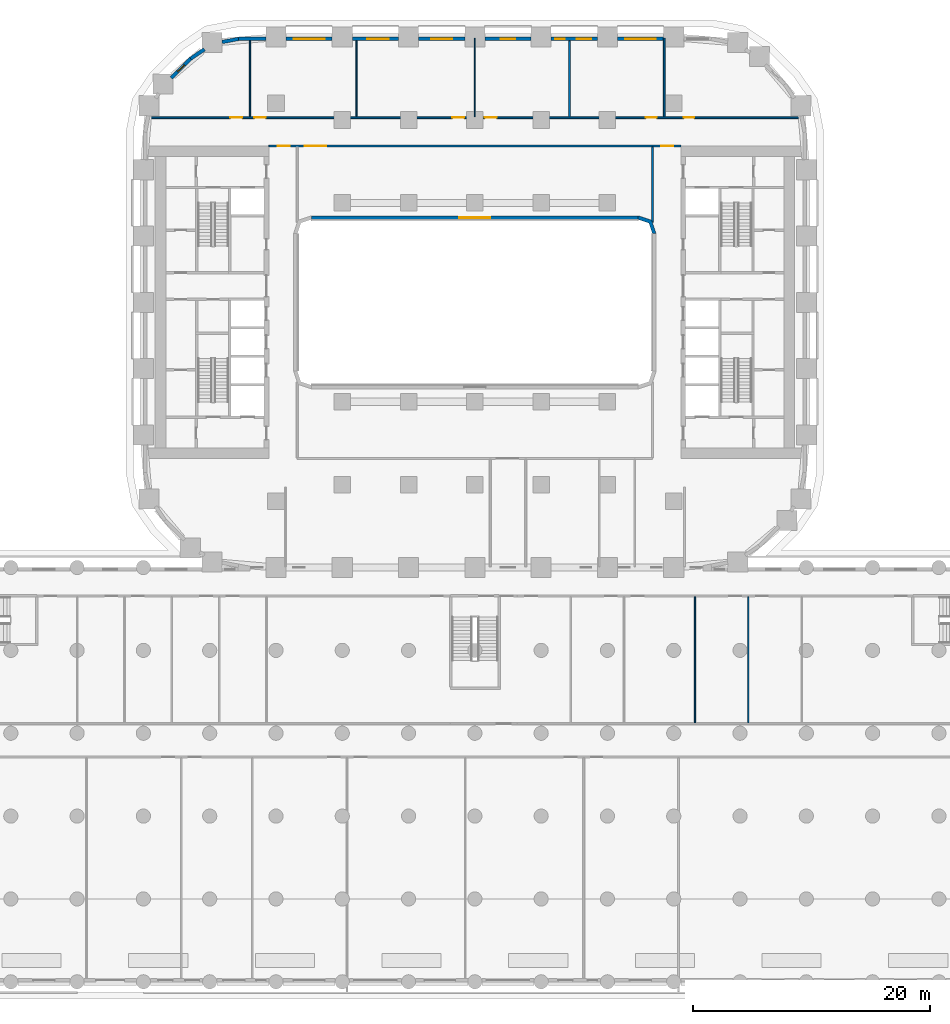
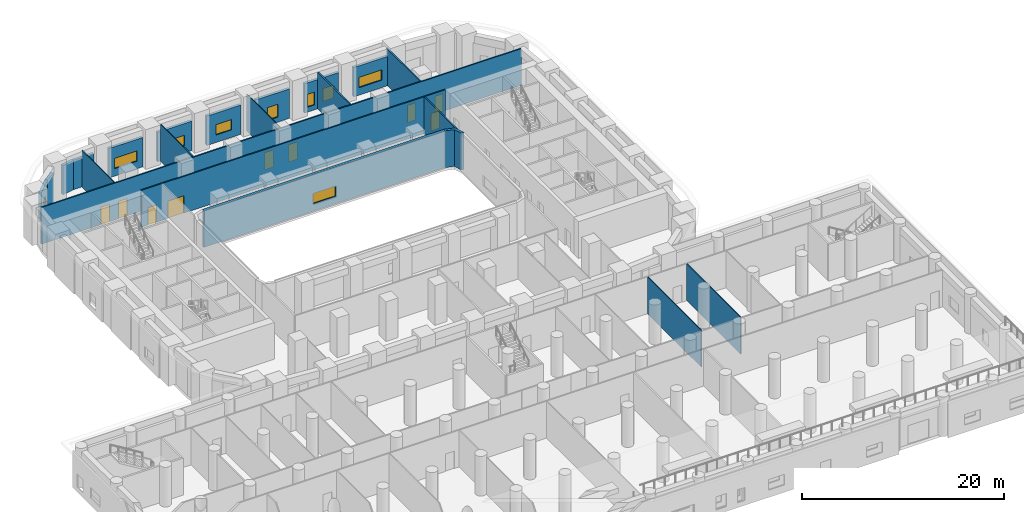
# One storey, part 13 of 27: 22 walls, 9 doors, 9 windows, 18 openings.
"""IFC4 building model written with IfcOpenShell, lengths in metres."""

from ifc_helpers import new_model, si_unit, direction, frame, frame_2d, origin, place, context, subcontext, project, spatial, polyline, rectangle, outline, extrude, material, layer, layer_set, type_object, element, fill, save


model = new_model("IFC4")

# Units and contexts
model_context = context("Model", 3, precision=1e-05, world=origin(), true_north=direction((0.0, 1.0)))
body_context = subcontext(model_context, "Body", "Model", "MODEL_VIEW")
ifc_project = project(units=[si_unit("LENGTHUNIT", "METRE"), si_unit("AREAUNIT", "SQUARE_METRE"), si_unit("VOLUMEUNIT", "CUBIC_METRE"), si_unit("PLANEANGLEUNIT", "RADIAN"), si_unit("MASSUNIT", "GRAM", prefix="KILO")], contexts=[model_context])

# Site, building, storey
site_placement = place(None, origin())
site = spatial("IfcSite", under=ifc_project, at=site_placement, CompositionType="ELEMENT")
building_placement = place(site_placement, origin())
building = spatial("IfcBuilding", under=site, at=building_placement, Name="Kiln Ring Residences", CompositionType="ELEMENT")
storey_placement = place(building_placement, frame((0.0, 0.0, 6.5)))
storey = spatial("IfcBuildingStorey", under=building, at=storey_placement, Name="L01", CompositionType="ELEMENT", Elevation=6.5)

# Wall, opening, window
ifc_material_1 = material(Name="Brick masonry, dark clay brick", Category="masonry")
ifc_layer_1 = layer(ifc_material_1, 0.300048828125)
ifc_layer_set_1 = layer_set([ifc_layer_1], Name="EW-300 BRICK WALL")
wall_type_1 = type_object("IfcWallType", Name="EW-300 BRICK WALL", PredefinedType="SOLIDWALL", material=ifc_layer_set_1)
wall_1_placement = place(storey_placement, frame((15.949951171875, 22.25, 0.0), z_axis=(0.0, 0.0, 1.0), x_axis=(-1.0, 0.0, 0.0)))
wall_1 = element("IfcWall", 1, at=wall_1_placement, inside=storey, type_object=wall_type_1, Name="Facade wall L01 28", PredefinedType="SOLIDWALL", context=body_context, shape_type="SweptSolid", body=[
    extrude(rectangle(XDim=3.89990234375, YDim=0.300048828125, at=frame_2d((1.949951171875, 0.0))), origin(), (0.0, 0.0, 1.0), 3.550048828125),
])
opening_1_placement = place(wall_1_placement, frame((0.66259765625, 0.0, 0.89990234375)))
opening_1 = element("IfcOpeningElement", 2, at=opening_1_placement, cuts=wall_1, Name="Opening W3", PredefinedType="OPENING", context=body_context, shape_type="SweptSolid", body=[
    extrude(rectangle(XDim=2.60009765625, YDim=1.25, at=frame_2d((1.300048828125, 0.625))), frame((0.0, 0.159912109375, 0.0), z_axis=(0.0, -1.0, 0.0), x_axis=(1.0, 0.0, 0.0)), (0.0, 0.0, 1.0), 0.320068359375),
])
ifc_material_2 = material(Name="Aluminium frame with double glazing", Category="aluminium")
window_type_1 = type_object("IfcWindowType", Name="WINDOW 2600 x 1250", PartitioningType="SINGLE_PANEL", PredefinedType="WINDOW", material=ifc_material_2)
window_1_placement = place(opening_1_placement, origin())
window_1 = element("IfcWindow", 3, at=window_1_placement, inside=storey, type_object=window_type_1, Name="Window L01 14", OverallHeight=1.25, OverallWidth=2.60009765625, PartitioningType="SINGLE_PANEL", PredefinedType="WINDOW", context=body_context, shape_type="SweptSolid", body=[
    extrude(rectangle(XDim=2.60009765625, YDim=1.25, at=frame_2d((1.300048828125, 0.625))), frame((0.0, 0.030029296875, 0.0), z_axis=(0.0, -1.0, 0.0), x_axis=(1.0, 0.0, 0.0)), (0.0, 0.0, 1.0), 0.06005859375),
])
fill(opening_1, window_1)

# Wall, openings, windows
wall_2_placement = place(storey_placement, frame((10.35009765625, 22.25, 0.0), z_axis=(0.0, 0.0, 1.0), x_axis=(-1.0, 0.0, 0.0)))
wall_2 = element("IfcWall", 4, at=wall_2_placement, inside=storey, type_object=wall_type_1, Name="Facade wall L01 29", PredefinedType="SOLIDWALL", context=body_context, shape_type="SweptSolid", body=[
    extrude(rectangle(XDim=3.900146484375, YDim=0.300048828125, at=frame_2d((1.9501953125, 0.0))), origin(), (0.0, 0.0, 1.0), 3.550048828125),
])
opening_2_placement = place(wall_2_placement, frame((0.53759765625, 0.0, 0.60009765625)))
opening_2 = element("IfcOpeningElement", 5, at=opening_2_placement, cuts=wall_2, Name="Opening W1", PredefinedType="OPENING", context=body_context, shape_type="SweptSolid", body=[
    extrude(rectangle(XDim=1.199951171875, YDim=1.550048828125, at=frame_2d((0.60009765625, 0.77490234375))), frame((0.0, 0.159912109375, 0.0), z_axis=(0.0, -1.0, 0.0), x_axis=(1.0, 0.0, 0.0)), (0.0, 0.0, 1.0), 0.320068359375),
])
opening_3_placement = place(wall_2_placement, frame((2.762451171875, 0.0, 0.60009765625)))
opening_3 = element("IfcOpeningElement", 6, at=opening_3_placement, cuts=wall_2, Name="Opening W5", PredefinedType="OPENING", context=body_context, shape_type="SweptSolid", body=[
    extrude(rectangle(XDim=0.800048828125, YDim=1.550048828125, at=frame_2d((0.39990234375, 0.77490234375))), frame((0.0, 0.159912109375, 0.0), z_axis=(0.0, -1.0, 0.0), x_axis=(1.0, 0.0, 0.0)), (0.0, 0.0, 1.0), 0.320068359375),
])
ifc_material_3 = material(Name="Aluminium frame with double glazing", Category="aluminium")
window_type_2 = type_object("IfcWindowType", Name="WINDOW 1200 x 1550", PartitioningType="SINGLE_PANEL", PredefinedType="WINDOW", material=ifc_material_3)
window_2_placement = place(opening_2_placement, origin())
window_2 = element("IfcWindow", 7, at=window_2_placement, inside=storey, type_object=window_type_2, Name="Window L01 15", OverallHeight=1.550048828125, OverallWidth=1.199951171875, PartitioningType="SINGLE_PANEL", PredefinedType="WINDOW", context=body_context, shape_type="SweptSolid", body=[
    extrude(rectangle(XDim=1.199951171875, YDim=1.550048828125, at=frame_2d((0.60009765625, 0.77490234375))), frame((0.0, 0.030029296875, 0.0), z_axis=(0.0, -1.0, 0.0), x_axis=(1.0, 0.0, 0.0)), (0.0, 0.0, 1.0), 0.06005859375),
])
fill(opening_2, window_2)
ifc_material_4 = material(Name="Aluminium frame with double glazing", Category="aluminium")
window_type_3 = type_object("IfcWindowType", Name="WINDOW 800 x 1550", PartitioningType="SINGLE_PANEL", PredefinedType="WINDOW", material=ifc_material_4)
window_3_placement = place(opening_3_placement, origin())
window_3 = element("IfcWindow", 8, at=window_3_placement, inside=storey, type_object=window_type_3, Name="Window L01 16", OverallHeight=1.550048828125, OverallWidth=0.800048828125, PartitioningType="SINGLE_PANEL", PredefinedType="WINDOW", context=body_context, shape_type="SweptSolid", body=[
    extrude(rectangle(XDim=0.800048828125, YDim=1.550048828125, at=frame_2d((0.39990234375, 0.77490234375))), frame((0.0, 0.030029296875, 0.0), z_axis=(0.0, -1.0, 0.0), x_axis=(1.0, 0.0, 0.0)), (0.0, 0.0, 1.0), 0.06005859375),
])
fill(opening_3, window_3)

# Wall, opening, window
wall_3_placement = place(storey_placement, frame((4.75, 22.25, 0.0), z_axis=(0.0, 0.0, 1.0), x_axis=(-1.0, 0.0, 0.0)))
wall_3 = element("IfcWall", 9, at=wall_3_placement, inside=storey, type_object=wall_type_1, Name="Facade wall L01 30", PredefinedType="SOLIDWALL", context=body_context, shape_type="SweptSolid", body=[
    extrude(rectangle(XDim=3.89990234375, YDim=0.300048828125, at=frame_2d((1.949951171875, 0.0))), origin(), (0.0, 0.0, 1.0), 3.550048828125),
])
opening_4_placement = place(wall_3_placement, frame((1.35009765625, 0.0, 0.60009765625)))
opening_4 = element("IfcOpeningElement", 10, at=opening_4_placement, cuts=wall_3, Name="Opening W1", PredefinedType="OPENING", context=body_context, shape_type="SweptSolid", body=[
    extrude(rectangle(XDim=1.199951171875, YDim=1.550048828125, at=frame_2d((0.60009765625, 0.77490234375))), frame((0.0, 0.159912109375, 0.0), z_axis=(0.0, -1.0, 0.0), x_axis=(1.0, 0.0, 0.0)), (0.0, 0.0, 1.0), 0.320068359375),
])
window_4_placement = place(opening_4_placement, origin())
window_4 = element("IfcWindow", 11, at=window_4_placement, inside=storey, type_object=window_type_2, Name="Window L01 17", OverallHeight=1.550048828125, OverallWidth=1.199951171875, PartitioningType="SINGLE_PANEL", PredefinedType="WINDOW", context=body_context, shape_type="SweptSolid", body=[
    extrude(rectangle(XDim=1.199951171875, YDim=1.550048828125, at=frame_2d((0.60009765625, 0.77490234375))), frame((0.0, 0.030029296875, 0.0), z_axis=(0.0, -1.0, 0.0), x_axis=(1.0, 0.0, 0.0)), (0.0, 0.0, 1.0), 0.06005859375),
])
fill(opening_4, window_4)

wall_4_placement = place(storey_placement, frame((-0.85009765625, 22.25, 0.0), z_axis=(0.0, 0.0, 1.0), x_axis=(-1.0, 0.0, 0.0)))
wall_4 = element("IfcWall", 12, at=wall_4_placement, inside=storey, type_object=wall_type_1, Name="Facade wall L01 31", PredefinedType="SOLIDWALL", context=body_context, shape_type="SweptSolid", body=[
    extrude(rectangle(XDim=3.89990234375, YDim=0.300048828125, at=frame_2d((1.949951171875, 0.0))), origin(), (0.0, 0.0, 1.0), 3.550048828125),
])
opening_5_placement = place(wall_4_placement, frame((1.050048828125, 0.0, 0.89990234375)))
opening_5 = element("IfcOpeningElement", 13, at=opening_5_placement, cuts=wall_4, Name="Opening W2", PredefinedType="OPENING", context=body_context, shape_type="SweptSolid", body=[
    extrude(rectangle(XDim=1.800048828125, YDim=1.25, at=frame_2d((0.89990234375, 0.625))), frame((0.0, 0.159912109375, 0.0), z_axis=(0.0, -1.0, 0.0), x_axis=(1.0, 0.0, 0.0)), (0.0, 0.0, 1.0), 0.320068359375),
])
ifc_material_5 = material(Name="Aluminium frame with double glazing", Category="aluminium")
window_type_4 = type_object("IfcWindowType", Name="WINDOW 1800 x 1250", PartitioningType="SINGLE_PANEL", PredefinedType="WINDOW", material=ifc_material_5)
window_5_placement = place(opening_5_placement, origin())
window_5 = element("IfcWindow", 14, at=window_5_placement, inside=storey, type_object=window_type_4, Name="Window L01 18", OverallHeight=1.25, OverallWidth=1.800048828125, PartitioningType="SINGLE_PANEL", PredefinedType="WINDOW", context=body_context, shape_type="SweptSolid", body=[
    extrude(rectangle(XDim=1.800048828125, YDim=1.25, at=frame_2d((0.89990234375, 0.625))), frame((0.0, 0.030029296875, 0.0), z_axis=(0.0, -1.0, 0.0), x_axis=(1.0, 0.0, 0.0)), (0.0, 0.0, 1.0), 0.06005859375),
])
fill(opening_5, window_5)

wall_5_placement = place(storey_placement, frame((-6.449951171875, 22.25, 0.0), z_axis=(0.0, 0.0, 1.0), x_axis=(-1.0, 0.0, 0.0)))
wall_5 = element("IfcWall", 15, at=wall_5_placement, inside=storey, type_object=wall_type_1, Name="Facade wall L01 32", PredefinedType="SOLIDWALL", context=body_context, shape_type="SweptSolid", body=[
    extrude(rectangle(XDim=3.900146484375, YDim=0.300048828125, at=frame_2d((1.9501953125, 0.0))), origin(), (0.0, 0.0, 1.0), 3.550048828125),
])
opening_6_placement = place(wall_5_placement, frame((0.83740234375, 0.0, 0.89990234375)))
opening_6 = element("IfcOpeningElement", 16, at=opening_6_placement, cuts=wall_5, Name="Opening W2", PredefinedType="OPENING", context=body_context, shape_type="SweptSolid", body=[
    extrude(rectangle(XDim=1.800048828125, YDim=1.25, at=frame_2d((0.89990234375, 0.625))), frame((0.0, 0.159912109375, 0.0), z_axis=(0.0, -1.0, 0.0), x_axis=(1.0, 0.0, 0.0)), (0.0, 0.0, 1.0), 0.320068359375),
])
window_6_placement = place(opening_6_placement, origin())
window_6 = element("IfcWindow", 17, at=window_6_placement, inside=storey, type_object=window_type_4, Name="Window L01 19", OverallHeight=1.25, OverallWidth=1.800048828125, PartitioningType="SINGLE_PANEL", PredefinedType="WINDOW", context=body_context, shape_type="SweptSolid", body=[
    extrude(rectangle(XDim=1.800048828125, YDim=1.25, at=frame_2d((0.89990234375, 0.625))), frame((0.0, 0.030029296875, 0.0), z_axis=(0.0, -1.0, 0.0), x_axis=(1.0, 0.0, 0.0)), (0.0, 0.0, 1.0), 0.06005859375),
])
fill(opening_6, window_6)

wall_6_placement = place(storey_placement, frame((-12.050048828125, 22.25, 0.0), z_axis=(0.0, 0.0, 1.0), x_axis=(-1.0, 0.0, 0.0)))
wall_6 = element("IfcWall", 18, at=wall_6_placement, inside=storey, type_object=wall_type_1, Name="Facade wall L01 33", PredefinedType="SOLIDWALL", context=body_context, shape_type="SweptSolid", body=[
    extrude(rectangle(XDim=3.89990234375, YDim=0.300048828125, at=frame_2d((1.949951171875, 0.0))), origin(), (0.0, 0.0, 1.0), 3.550048828125),
])
opening_7_placement = place(wall_6_placement, frame((0.64990234375, 0.0, 0.89990234375)))
opening_7 = element("IfcOpeningElement", 19, at=opening_7_placement, cuts=wall_6, Name="Opening W3", PredefinedType="OPENING", context=body_context, shape_type="SweptSolid", body=[
    extrude(rectangle(XDim=2.60009765625, YDim=1.25, at=frame_2d((1.300048828125, 0.625))), frame((0.0, 0.159912109375, 0.0), z_axis=(0.0, -1.0, 0.0), x_axis=(1.0, 0.0, 0.0)), (0.0, 0.0, 1.0), 0.320068359375),
])
window_7_placement = place(opening_7_placement, origin())
window_7 = element("IfcWindow", 20, at=window_7_placement, inside=storey, type_object=window_type_1, Name="Window L01 20", OverallHeight=1.25, OverallWidth=2.60009765625, PartitioningType="SINGLE_PANEL", PredefinedType="WINDOW", context=body_context, shape_type="SweptSolid", body=[
    extrude(rectangle(XDim=2.60009765625, YDim=1.25, at=frame_2d((1.300048828125, 0.625))), frame((0.0, 0.030029296875, 0.0), z_axis=(0.0, -1.0, 0.0), x_axis=(1.0, 0.0, 0.0)), (0.0, 0.0, 1.0), 0.06005859375),
])
fill(opening_7, window_7)

# Walls
wall_7_placement = place(storey_placement, frame((-17.64990234375, 22.25, 0.0), z_axis=(0.0, 0.0, 1.0), x_axis=(-1.0, 0.0, 0.0)))
element("IfcWall", 21, at=wall_7_placement, inside=storey, type_object=wall_type_1, Name="Facade wall L01 34", PredefinedType="SOLIDWALL", context=body_context, shape_type="SweptSolid", body=[
    extrude(rectangle(XDim=2.35009765625, YDim=0.300048828125, at=frame_2d((1.175048828125, 0.0))), origin(), (0.0, 0.0, 1.0), 3.550048828125),
])
for number, where, z_axis, x_axis, name in (
    (22, (-19.971923828125, 22.252685546875, 0.0), (0.0, 0.0, 1.0), (-0.98229142023, -0.187359455971, 0.0), "Facade wall L01 35"),
    (23, (-22.849853515625, 21.369140625, 0.0), (0.0, 0.0, 1.0), (-0.827075041075, -0.562091519622, 0.0), "Facade wall L01 36"),
):
    element("IfcWall", number, at=place(storey_placement, frame(where, z_axis=z_axis, x_axis=x_axis)), inside=storey, type_object=wall_type_1, Name=name, PredefinedType="SOLIDWALL", context=body_context, shape_type="SweptSolid", body=[
        extrude(rectangle(XDim=1.406005859375, YDim=0.300048828125, at=frame_2d((0.703125, 0.0))), origin(), (0.0, 0.0, 1.0), 3.550048828125),
    ])

# Wall, opening, window
wall_8_placement = place(storey_placement, frame((-23.990966796875, 20.596923828125, 0.0), z_axis=(0.0, 0.0, 1.0), x_axis=(-0.707054835785, -0.707158722772, 0.0)))
wall_8 = element("IfcWall", 24, at=wall_8_placement, inside=storey, type_object=wall_type_1, Name="Facade wall L01 37", PredefinedType="SOLIDWALL", context=body_context, shape_type="SweptSolid", body=[
    extrude(rectangle(XDim=2.35009765625, YDim=0.300048828125, at=frame_2d((1.175048828125, 0.0))), origin(), (0.0, 0.0, 1.0), 3.550048828125),
])
opening_8_placement = place(wall_8_placement, frame((0.77490234375, 0.0, 0.60009765625)))
opening_8 = element("IfcOpeningElement", 25, at=opening_8_placement, cuts=wall_8, Name="Opening W5", PredefinedType="OPENING", context=body_context, shape_type="SweptSolid", body=[
    extrude(rectangle(XDim=0.800048828125, YDim=1.550048828125, at=frame_2d((0.39990234375, 0.77490234375))), frame((0.0, 0.159912109375, 0.0), z_axis=(0.0, -1.0, 0.0), x_axis=(1.0, 0.0, 0.0)), (0.0, 0.0, 1.0), 0.320068359375),
])
window_8_placement = place(opening_8_placement, origin())
window_8 = element("IfcWindow", 26, at=window_8_placement, inside=storey, type_object=window_type_3, Name="Window L01 21", OverallHeight=1.550048828125, OverallWidth=0.800048828125, PartitioningType="SINGLE_PANEL", PredefinedType="WINDOW", context=body_context, shape_type="SweptSolid", body=[
    extrude(rectangle(XDim=0.800048828125, YDim=1.550048828125, at=frame_2d((0.39990234375, 0.77490234375))), frame((0.0, 0.030029296875, 0.0), z_axis=(0.0, -1.0, 0.0), x_axis=(1.0, 0.0, 0.0)), (0.0, 0.0, 1.0), 0.06005859375),
])
fill(opening_8, window_8)

wall_9_placement = place(storey_placement, frame((-13.800048828125, 7.14990234375, 0.0), z_axis=(0.0, 0.0, 1.0), x_axis=(1.0, 0.0, 0.0)))
wall_9 = element("IfcWall", 27, at=wall_9_placement, inside=storey, type_object=wall_type_1, Name="Facade wall L01 78", PredefinedType="SOLIDWALL", context=body_context, shape_type="SweptSolid", body=[
    extrude(rectangle(XDim=27.60009765625, YDim=0.300048828125, at=frame_2d((13.800048828125, 0.0))), origin(), (0.0, 0.0, 1.0), 4.449951171875),
])
opening_9_placement = place(wall_9_placement, frame((12.5, 0.0, 0.89990234375)))
opening_9 = element("IfcOpeningElement", 28, at=opening_9_placement, cuts=wall_9, Name="Opening W3", PredefinedType="OPENING", context=body_context, shape_type="SweptSolid", body=[
    extrude(rectangle(XDim=2.60009765625, YDim=1.25, at=frame_2d((1.300048828125, 0.625))), frame((0.0, 0.159912109375, 0.0), z_axis=(0.0, -1.0, 0.0), x_axis=(1.0, 0.0, 0.0)), (0.0, 0.0, 1.0), 0.320068359375),
])
window_9_placement = place(opening_9_placement, origin())
window_9 = element("IfcWindow", 29, at=window_9_placement, inside=storey, type_object=window_type_1, Name="Window L01 49", OverallHeight=1.25, OverallWidth=2.60009765625, PartitioningType="SINGLE_PANEL", PredefinedType="WINDOW", context=body_context, shape_type="SweptSolid", body=[
    extrude(rectangle(XDim=2.60009765625, YDim=1.25, at=frame_2d((1.300048828125, 0.625))), frame((0.0, 0.030029296875, 0.0), z_axis=(0.0, -1.0, 0.0), x_axis=(1.0, 0.0, 0.0)), (0.0, 0.0, 1.0), 0.06005859375),
])
fill(opening_9, window_9)

# Walls
wall_10_placement = place(storey_placement, origin())
element("IfcWall", 30, at=wall_10_placement, inside=storey, type_object=wall_type_1, Name="Corner wall L01 4", PredefinedType="SOLIDWALL", context=body_context, shape_type="SweptSolid", body=[
    extrude(outline(polyline([(14.937255859375, 6.937255859375), (13.8486328125, 7.300048828125), (13.800048828125, 7.300048828125), (13.800048828125, 7.0), (14.699951171875, 6.699951171875), (15.0, 5.800048828125), (15.300048828125, 5.800048828125), (15.300048828125, 5.8486328125), (14.937255859375, 6.937255859375)])), origin(), (0.0, 0.0, 1.0), 4.449951171875),
])
ifc_material_6 = material(Name="Gypsum board on steel studs", Category="steel")
ifc_layer_2 = layer(ifc_material_6, 0.10009765625)
ifc_layer_set_2 = layer_set([ifc_layer_2], Name="PARTITION-100")
wall_type_2 = type_object("IfcWallType", Name="PARTITION-100", PredefinedType="PARTITIONING", material=ifc_layer_set_2)
for number, where, z_axis, x_axis, name in (
    (31, (-19.0, 15.675048828125, 0.0), (0.0, 0.0, 1.0), (0.0, 1.0, 0.0), "Partition 024"),
    (32, (-10.0, 15.675048828125, 0.0), (0.0, 0.0, 1.0), (0.0, 1.0, 0.0), "Partition 031"),
):
    element("IfcWall", number, at=place(storey_placement, frame(where, z_axis=z_axis, x_axis=x_axis)), inside=storey, type_object=wall_type_2, Name=name, PredefinedType="PARTITIONING", context=body_context, shape_type="SweptSolid", body=[
        extrude(rectangle(XDim=6.405029296875, YDim=0.10009765625, at=frame_2d((3.20263671875, 0.0))), origin(), (0.0, 0.0, 1.0), 4.449951171875),
    ])
wall_11_placement = place(storey_placement, frame((0.0, 15.675048828125, 0.0), z_axis=(0.0, 0.0, 1.0), x_axis=(0.0, 1.0, 0.0)))
element("IfcWall", 33, at=wall_11_placement, inside=storey, type_object=wall_type_2, Name="Partition 033", PredefinedType="PARTITIONING", context=body_context, shape_type="SweptSolid", body=[
    extrude(rectangle(XDim=6.635009765625, YDim=0.10009765625, at=frame_2d((3.3173828125, 0.0))), origin(), (0.0, 0.0, 1.0), 4.449951171875),
])
for number, where, z_axis, x_axis, name in (
    (34, (18.60009765625, -35.52490234375, 0.0), (0.0, 0.0, 1.0), (0.0, 1.0, 0.0), "Partition 048"),
    (35, (23.10009765625, -35.52490234375, 0.0), (0.0, 0.0, 1.0), (0.0, 1.0, 0.0), "Partition 049"),
):
    element("IfcWall", number, at=place(storey_placement, frame(where, z_axis=z_axis, x_axis=x_axis)), inside=storey, type_object=wall_type_2, Name=name, PredefinedType="PARTITIONING", context=body_context, shape_type="SweptSolid", body=[
        extrude(rectangle(XDim=10.64990234375, YDim=0.10009765625, at=frame_2d((5.324951171875, 0.0))), origin(), (0.0, 0.0, 1.0), 4.449951171875),
    ])

# Wall, openings, doors
ifc_material_7 = material(Name="Brick masonry partition", Category="masonry")
ifc_layer_3 = layer(ifc_material_7, 0.14990234375)
ifc_layer_set_3 = layer_set([ifc_layer_3], Name="PARTITION-150-ei60")
wall_type_3 = type_object("IfcWallType", Name="PARTITION-150-ei60", PredefinedType="PARTITIONING", material=ifc_layer_set_3)
wall_12_placement = place(storey_placement, frame((-17.39990234375, 13.199951171875, 0.0), z_axis=(0.0, 0.0, 1.0), x_axis=(1.0, 0.0, 0.0)))
wall_12 = element("IfcWall", 36, at=wall_12_placement, inside=storey, type_object=wall_type_3, Name="Partition 015", PredefinedType="PARTITIONING", context=body_context, shape_type="SweptSolid", body=[
    extrude(rectangle(XDim=34.7998046875, YDim=0.14990234375, at=frame_2d((17.39990234375, 0.0))), origin(), (0.0, 0.0, 1.0), 4.449951171875),
])
opening_10_placement = place(wall_12_placement, frame((3.050048828125, 0.0, 0.0)))
opening_10 = element("IfcOpeningElement", 37, at=opening_10_placement, cuts=wall_12, Name="Opening L01-D001", PredefinedType="OPENING", context=body_context, shape_type="SweptSolid", body=[
    extrude(rectangle(XDim=1.800048828125, YDim=2.10009765625, at=frame_2d((0.89990234375, 1.050048828125))), frame((0.0, 0.0849609375, 0.0), z_axis=(0.0, -1.0, 0.0), x_axis=(1.0, 0.0, 0.0)), (0.0, 0.0, 1.0), 0.169921875),
])
opening_11_placement = place(wall_12_placement, frame((0.75, 0.0, 0.0)))
opening_11 = element("IfcOpeningElement", 38, at=opening_11_placement, cuts=wall_12, Name="Opening L01-D002", PredefinedType="OPENING", context=body_context, shape_type="SweptSolid", body=[
    extrude(rectangle(XDim=1.0, YDim=2.10009765625, at=frame_2d((0.5, 1.050048828125))), frame((0.0, 0.0849609375, 0.0), z_axis=(0.0, -1.0, 0.0), x_axis=(1.0, 0.0, 0.0)), (0.0, 0.0, 1.0), 0.169921875),
])
opening_12_placement = place(wall_12_placement, frame((33.14990234375, 0.0, 0.0)))
opening_12 = element("IfcOpeningElement", 39, at=opening_12_placement, cuts=wall_12, Name="Opening L01-D003", PredefinedType="OPENING", context=body_context, shape_type="SweptSolid", body=[
    extrude(rectangle(XDim=1.0, YDim=2.10009765625, at=frame_2d((0.5, 1.050048828125))), frame((0.0, 0.0849609375, 0.0), z_axis=(0.0, -1.0, 0.0), x_axis=(1.0, 0.0, 0.0)), (0.0, 0.0, 1.0), 0.169921875),
])
ifc_material_8 = material(Name="Steel faced fire door leaf", Category="steel")
door_type_1 = type_object("IfcDoorType", Name="FLAT-DOOR-1000-FR", OperationType="SINGLE_SWING_LEFT", PredefinedType="DOOR", material=ifc_material_8)
door_1_placement = place(opening_11_placement, origin())
door_1 = element("IfcDoor", 40, at=door_1_placement, inside=storey, type_object=door_type_1, Name="Door L01-D002", OperationType="SINGLE_SWING_LEFT", OverallHeight=2.10009765625, OverallWidth=1.0, PredefinedType="DOOR", context=body_context, shape_type="SweptSolid", body=[
    extrude(rectangle(XDim=1.0, YDim=2.10009765625, at=frame_2d((0.5, 1.050048828125))), frame((0.0, 0.02490234375, 0.0), z_axis=(0.0, -1.0, 0.0), x_axis=(1.0, 0.0, 0.0)), (0.0, 0.0, 1.0), 0.050048828125),
])
fill(opening_11, door_1)
door_2_placement = place(opening_12_placement, origin())
door_2 = element("IfcDoor", 41, at=door_2_placement, inside=storey, type_object=door_type_1, Name="Door L01-D003", OperationType="SINGLE_SWING_RIGHT", OverallHeight=2.10009765625, OverallWidth=1.0, PredefinedType="DOOR", context=body_context, shape_type="SweptSolid", body=[
    extrude(rectangle(XDim=1.0, YDim=2.10009765625, at=frame_2d((0.5, 1.050048828125))), frame((0.0, 0.02490234375, 0.0), z_axis=(0.0, -1.0, 0.0), x_axis=(1.0, 0.0, 0.0)), (0.0, 0.0, 1.0), 0.050048828125),
])
fill(opening_12, door_2)
ifc_material_9 = material(Name="Steel faced fire door leaf", Category="steel")
door_type_2 = type_object("IfcDoorType", Name="FLAT-DOOR-1800-FR", OperationType="SINGLE_SWING_LEFT", PredefinedType="DOOR", material=ifc_material_9)
door_3_placement = place(opening_10_placement, origin())
door_3 = element("IfcDoor", 42, at=door_3_placement, inside=storey, type_object=door_type_2, Name="Door L01-D001", OperationType="SINGLE_SWING_LEFT", OverallHeight=2.10009765625, OverallWidth=1.800048828125, PredefinedType="DOOR", context=body_context, shape_type="SweptSolid", body=[
    extrude(rectangle(XDim=1.800048828125, YDim=2.10009765625, at=frame_2d((0.89990234375, 1.050048828125))), frame((0.0, 0.02490234375, 0.0), z_axis=(0.0, -1.0, 0.0), x_axis=(1.0, 0.0, 0.0)), (0.0, 0.0, 1.0), 0.050048828125),
])
fill(opening_10, door_3)

wall_13_placement = place(storey_placement, frame((-27.44580078125, 15.60009765625, 0.0), z_axis=(0.0, 0.0, 1.0), x_axis=(1.0, 0.0, 0.0)))
wall_13 = element("IfcWall", 43, at=wall_13_placement, inside=storey, type_object=wall_type_3, Name="Partition 016", PredefinedType="PARTITIONING", context=body_context, shape_type="SweptSolid", body=[
    extrude(rectangle(XDim=54.8916015625, YDim=0.14990234375, at=frame_2d((27.44580078125, 0.0))), origin(), (0.0, 0.0, 1.0), 4.449951171875),
])
opening_13_placement = place(wall_13_placement, frame((6.795654296875, 0.0, 0.0)))
opening_13 = element("IfcOpeningElement", 44, at=opening_13_placement, cuts=wall_13, Name="Opening L01-D037", PredefinedType="OPENING", context=body_context, shape_type="SweptSolid", body=[
    extrude(rectangle(XDim=1.0, YDim=2.10009765625, at=frame_2d((0.5, 1.050048828125))), frame((0.0, 0.0849609375, 0.0), z_axis=(0.0, -1.0, 0.0), x_axis=(1.0, 0.0, 0.0)), (0.0, 0.0, 1.0), 0.169921875),
])
opening_14_placement = place(wall_13_placement, frame((8.795654296875, 0.0, 0.0)))
opening_14 = element("IfcOpeningElement", 45, at=opening_14_placement, cuts=wall_13, Name="Opening L01-D038", PredefinedType="OPENING", context=body_context, shape_type="SweptSolid", body=[
    extrude(rectangle(XDim=1.0, YDim=2.10009765625, at=frame_2d((0.5, 1.050048828125))), frame((0.0, 0.0849609375, 0.0), z_axis=(0.0, -1.0, 0.0), x_axis=(1.0, 0.0, 0.0)), (0.0, 0.0, 1.0), 0.169921875),
])
opening_15_placement = place(wall_13_placement, frame((25.545654296875, 0.0, 0.0)))
opening_15 = element("IfcOpeningElement", 46, at=opening_15_placement, cuts=wall_13, Name="Opening L01-D039", PredefinedType="OPENING", context=body_context, shape_type="SweptSolid", body=[
    extrude(rectangle(XDim=1.0, YDim=2.10009765625, at=frame_2d((0.5, 1.050048828125))), frame((0.0, 0.0849609375, 0.0), z_axis=(0.0, -1.0, 0.0), x_axis=(1.0, 0.0, 0.0)), (0.0, 0.0, 1.0), 0.169921875),
])
opening_16_placement = place(wall_13_placement, frame((28.295654296875, 0.0, 0.0)))
opening_16 = element("IfcOpeningElement", 47, at=opening_16_placement, cuts=wall_13, Name="Opening L01-D040", PredefinedType="OPENING", context=body_context, shape_type="SweptSolid", body=[
    extrude(rectangle(XDim=1.0, YDim=2.10009765625, at=frame_2d((0.5, 1.050048828125))), frame((0.0, 0.0849609375, 0.0), z_axis=(0.0, -1.0, 0.0), x_axis=(1.0, 0.0, 0.0)), (0.0, 0.0, 1.0), 0.169921875),
])
opening_17_placement = place(wall_13_placement, frame((41.895751953125, 0.0, 0.0)))
opening_17 = element("IfcOpeningElement", 48, at=opening_17_placement, cuts=wall_13, Name="Opening L01-D041", PredefinedType="OPENING", context=body_context, shape_type="SweptSolid", body=[
    extrude(rectangle(XDim=0.89990234375, YDim=2.10009765625, at=frame_2d((0.449951171875, 1.050048828125))), frame((0.0, 0.0849609375, 0.0), z_axis=(0.0, -1.0, 0.0), x_axis=(1.0, 0.0, 0.0)), (0.0, 0.0, 1.0), 0.169921875),
])
opening_18_placement = place(wall_13_placement, frame((45.07470703125, 0.0, 0.0)))
opening_18 = element("IfcOpeningElement", 49, at=opening_18_placement, cuts=wall_13, Name="Opening L01-D042", PredefinedType="OPENING", context=body_context, shape_type="SweptSolid", body=[
    extrude(rectangle(XDim=0.89990234375, YDim=2.10009765625, at=frame_2d((0.449951171875, 1.050048828125))), frame((0.0, 0.0849609375, 0.0), z_axis=(0.0, -1.0, 0.0), x_axis=(1.0, 0.0, 0.0)), (0.0, 0.0, 1.0), 0.169921875),
])
door_4_placement = place(opening_13_placement, origin())
door_4 = element("IfcDoor", 50, at=door_4_placement, inside=storey, type_object=door_type_1, Name="Door L01-D037", OperationType="SINGLE_SWING_LEFT", OverallHeight=2.10009765625, OverallWidth=1.0, PredefinedType="DOOR", context=body_context, shape_type="SweptSolid", body=[
    extrude(rectangle(XDim=1.0, YDim=2.10009765625, at=frame_2d((0.5, 1.050048828125))), frame((0.0, 0.02490234375, 0.0), z_axis=(0.0, -1.0, 0.0), x_axis=(1.0, 0.0, 0.0)), (0.0, 0.0, 1.0), 0.050048828125),
])
fill(opening_13, door_4)
door_5_placement = place(opening_14_placement, origin())
door_5 = element("IfcDoor", 51, at=door_5_placement, inside=storey, type_object=door_type_1, Name="Door L01-D038", OperationType="SINGLE_SWING_RIGHT", OverallHeight=2.10009765625, OverallWidth=1.0, PredefinedType="DOOR", context=body_context, shape_type="SweptSolid", body=[
    extrude(rectangle(XDim=1.0, YDim=2.10009765625, at=frame_2d((0.5, 1.050048828125))), frame((0.0, 0.02490234375, 0.0), z_axis=(0.0, -1.0, 0.0), x_axis=(1.0, 0.0, 0.0)), (0.0, 0.0, 1.0), 0.050048828125),
])
fill(opening_14, door_5)
door_6_placement = place(opening_15_placement, origin())
door_6 = element("IfcDoor", 52, at=door_6_placement, inside=storey, type_object=door_type_1, Name="Door L01-D039", OperationType="SINGLE_SWING_LEFT", OverallHeight=2.10009765625, OverallWidth=1.0, PredefinedType="DOOR", context=body_context, shape_type="SweptSolid", body=[
    extrude(rectangle(XDim=1.0, YDim=2.10009765625, at=frame_2d((0.5, 1.050048828125))), frame((0.0, 0.02490234375, 0.0), z_axis=(0.0, -1.0, 0.0), x_axis=(1.0, 0.0, 0.0)), (0.0, 0.0, 1.0), 0.050048828125),
])
fill(opening_15, door_6)
door_7_placement = place(opening_16_placement, origin())
door_7 = element("IfcDoor", 53, at=door_7_placement, inside=storey, type_object=door_type_1, Name="Door L01-D040", OperationType="SINGLE_SWING_RIGHT", OverallHeight=2.10009765625, OverallWidth=1.0, PredefinedType="DOOR", context=body_context, shape_type="SweptSolid", body=[
    extrude(rectangle(XDim=1.0, YDim=2.10009765625, at=frame_2d((0.5, 1.050048828125))), frame((0.0, 0.02490234375, 0.0), z_axis=(0.0, -1.0, 0.0), x_axis=(1.0, 0.0, 0.0)), (0.0, 0.0, 1.0), 0.050048828125),
])
fill(opening_16, door_7)
ifc_material_10 = material(Name="Steel faced fire door leaf", Category="steel")
door_type_3 = type_object("IfcDoorType", Name="FLAT-DOOR-900-FR", OperationType="SINGLE_SWING_LEFT", PredefinedType="DOOR", material=ifc_material_10)
door_8_placement = place(opening_17_placement, origin())
door_8 = element("IfcDoor", 54, at=door_8_placement, inside=storey, type_object=door_type_3, Name="Door L01-D041", OperationType="SINGLE_SWING_LEFT", OverallHeight=2.10009765625, OverallWidth=0.89990234375, PredefinedType="DOOR", context=body_context, shape_type="SweptSolid", body=[
    extrude(rectangle(XDim=0.89990234375, YDim=2.10009765625, at=frame_2d((0.449951171875, 1.050048828125))), frame((0.0, 0.02490234375, 0.0), z_axis=(0.0, -1.0, 0.0), x_axis=(1.0, 0.0, 0.0)), (0.0, 0.0, 1.0), 0.050048828125),
])
fill(opening_17, door_8)
door_9_placement = place(opening_18_placement, origin())
door_9 = element("IfcDoor", 55, at=door_9_placement, inside=storey, type_object=door_type_3, Name="Door L01-D042", OperationType="SINGLE_SWING_RIGHT", OverallHeight=2.10009765625, OverallWidth=0.89990234375, PredefinedType="DOOR", context=body_context, shape_type="SweptSolid", body=[
    extrude(rectangle(XDim=0.89990234375, YDim=2.10009765625, at=frame_2d((0.449951171875, 1.050048828125))), frame((0.0, 0.02490234375, 0.0), z_axis=(0.0, -1.0, 0.0), x_axis=(1.0, 0.0, 0.0)), (0.0, 0.0, 1.0), 0.050048828125),
])
fill(opening_18, door_9)

# Walls
wall_14_placement = place(storey_placement, frame((8.0, 15.675048828125, 0.0), z_axis=(0.0, 0.0, 1.0), x_axis=(0.0, 1.0, 0.0)))
element("IfcWall", 56, at=wall_14_placement, inside=storey, type_object=wall_type_3, Name="Partition 037", PredefinedType="PARTITIONING", context=body_context, shape_type="SweptSolid", body=[
    extrude(rectangle(XDim=6.405029296875, YDim=0.14990234375, at=frame_2d((3.20263671875, 0.0))), origin(), (0.0, 0.0, 1.0), 4.449951171875),
])
wall_15_placement = place(storey_placement, frame((15.0, 6.768798828125, 0.0), z_axis=(0.0, 0.0, 1.0), x_axis=(0.0, 1.0, 0.0)))
element("IfcWall", 57, at=wall_15_placement, inside=storey, type_object=wall_type_3, Name="Partition 044", PredefinedType="PARTITIONING", context=body_context, shape_type="SweptSolid", body=[
    extrude(rectangle(XDim=6.356201171875, YDim=0.14990234375, at=frame_2d((3.17822265625, 0.0))), origin(), (0.0, 0.0, 1.0), 4.449951171875),
])
wall_16_placement = place(storey_placement, frame((16.0, 15.675048828125, 0.0), z_axis=(0.0, 0.0, 1.0), x_axis=(0.0, 1.0, 0.0)))
element("IfcWall", 58, at=wall_16_placement, inside=storey, type_object=wall_type_3, Name="Partition 045", PredefinedType="PARTITIONING", context=body_context, shape_type="SweptSolid", body=[
    extrude(rectangle(XDim=6.635009765625, YDim=0.14990234375, at=frame_2d((3.3173828125, 0.0))), origin(), (0.0, 0.0, 1.0), 4.449951171875),
])

save(model, "model.ifc")
